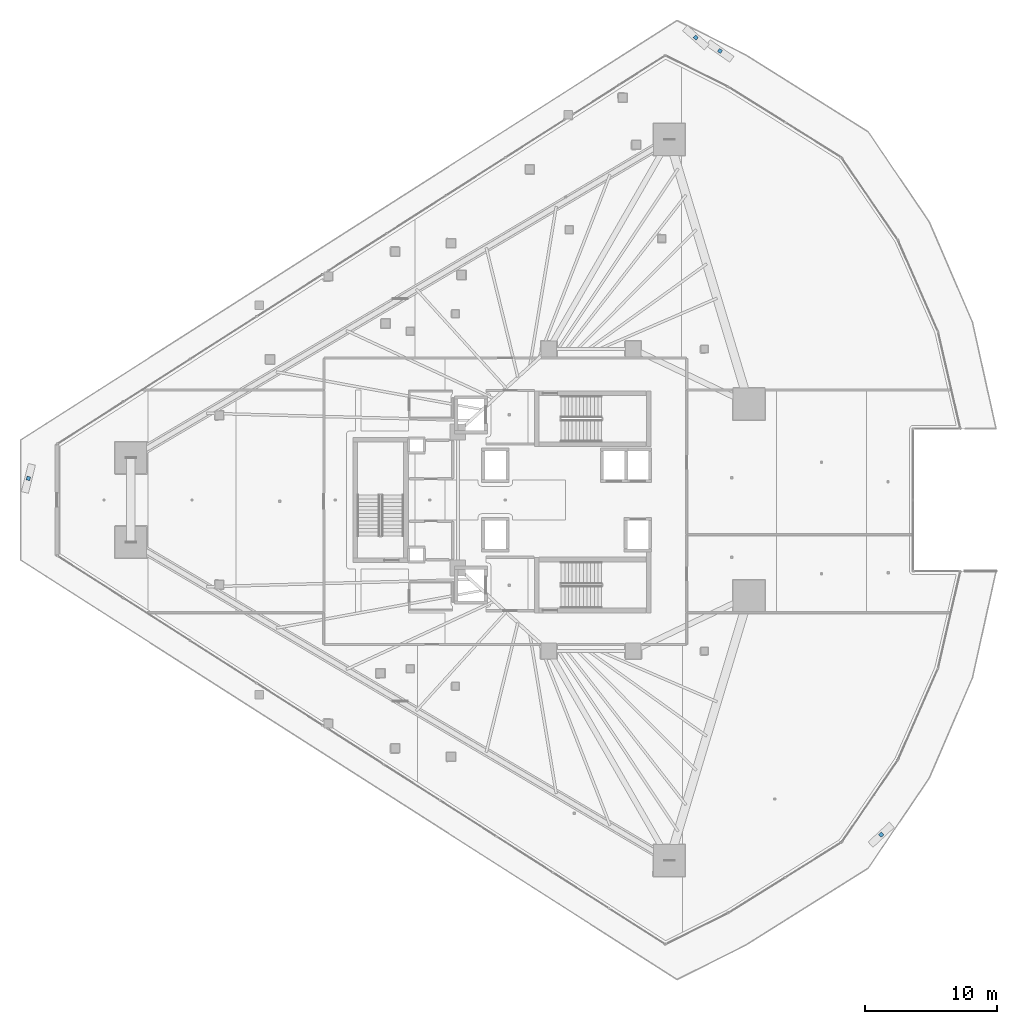
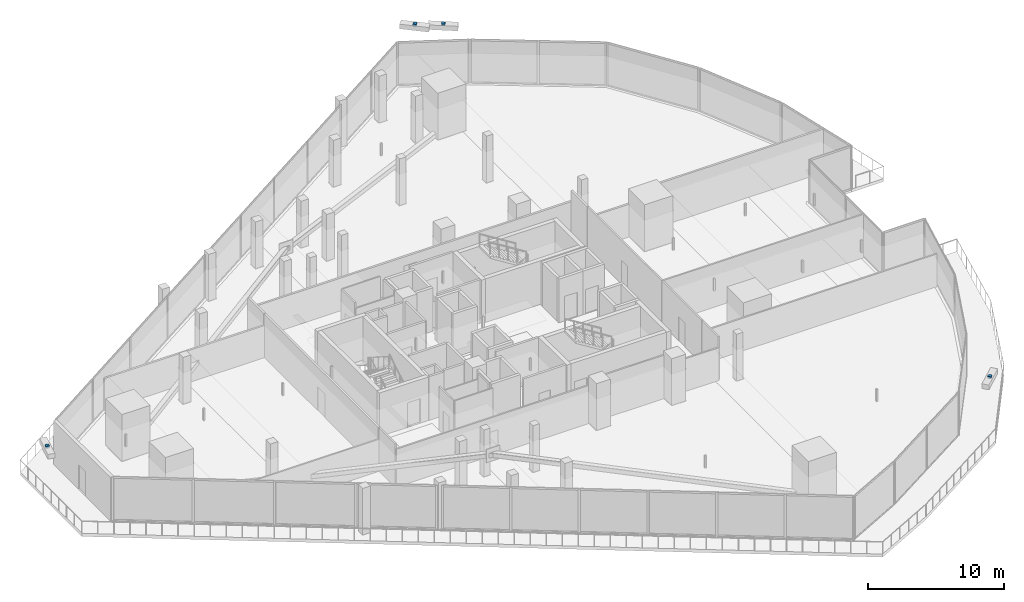
# One storey, part 35 of 43: 4 discrete accessories.
"""IFC4 building model written with IfcOpenShell, lengths in metres."""

from ifc_helpers import new_model, si_unit, direction, frame, origin, origin_2d, place, context, subcontext, project, spatial, rectangle, extrude, material, type_object, element, save


model = new_model("IFC4")

# Units and contexts
model_context = context("Model", 3, precision=1e-05, world=origin(), true_north=direction((0.0, 1.0)))
body_context = subcontext(model_context, "Body", "Model", "MODEL_VIEW")
ifc_project = project(units=[si_unit("LENGTHUNIT", "METRE"), si_unit("AREAUNIT", "SQUARE_METRE"), si_unit("VOLUMEUNIT", "CUBIC_METRE"), si_unit("PLANEANGLEUNIT", "RADIAN"), si_unit("MASSUNIT", "GRAM", prefix="KILO")], contexts=[model_context])

# Site, building, storey
site_placement = place(None, origin())
site = spatial("IfcSite", under=ifc_project, at=site_placement, CompositionType="ELEMENT")
building_placement = place(site_placement, origin())
building = spatial("IfcBuilding", under=site, at=building_placement, Name="Qorvath Tower", CompositionType="ELEMENT")
storey_placement = place(building_placement, frame((0.0, 0.0, 36.60009765625)))
storey = spatial("IfcBuildingStorey", under=building, at=storey_placement, Name="L07", CompositionType="ELEMENT", Elevation=36.60009765625)

# Discrete accessories
ifc_material = material(Name="Galvanised steel bracket", Category="steel")
discrete_accessory_type = type_object("IfcDiscreteAccessoryType", Name="DA-BRACKET", PredefinedType="BRACKET", material=ifc_material)
for number, where, z_axis, x_axis, name in (
    (1, (-63.054443359375, 1.636474609375, 3.77978515625), (0.0, 0.0, 1.0), (-0.239548601529, -0.970884373911, 0.0), "Louvre Wave Support Bracket L07-01"),
    (2, (1.59521484375, -25.375732421875, 3.77978515625), (0.0, 0.0, 1.0), (0.731081061835, 0.682290613321, 0.0), "Louvre Wave Support Bracket L07-02"),
    (3, (-10.625732421875, 34.038818359375, 3.77978515625), (0.0, 0.0, 1.0), (-0.820169849962, 0.572120107332, 0.0), "Louvre Wave Support Bracket L07-03"),
    (4, (-12.455810546875, 35.0546875, 3.77978515625), (0.0, 0.0, 1.0), (-0.751350521083, 0.659903322062, 0.0), "Louvre Wave Support Bracket L07-04"),
):
    element("IfcDiscreteAccessory", number, at=place(storey_placement, frame(where, z_axis=z_axis, x_axis=x_axis)), inside=storey, type_object=discrete_accessory_type, Name=name, PredefinedType="NOTDEFINED", context=body_context, shape_type="SweptSolid", body=[
        extrude(rectangle(XDim=0.280029296875, YDim=0.280029296875, at=origin_2d()), origin(), (0.0, 0.0, 1.0), 0.199951171875),
    ])

save(model, "model.ifc")
